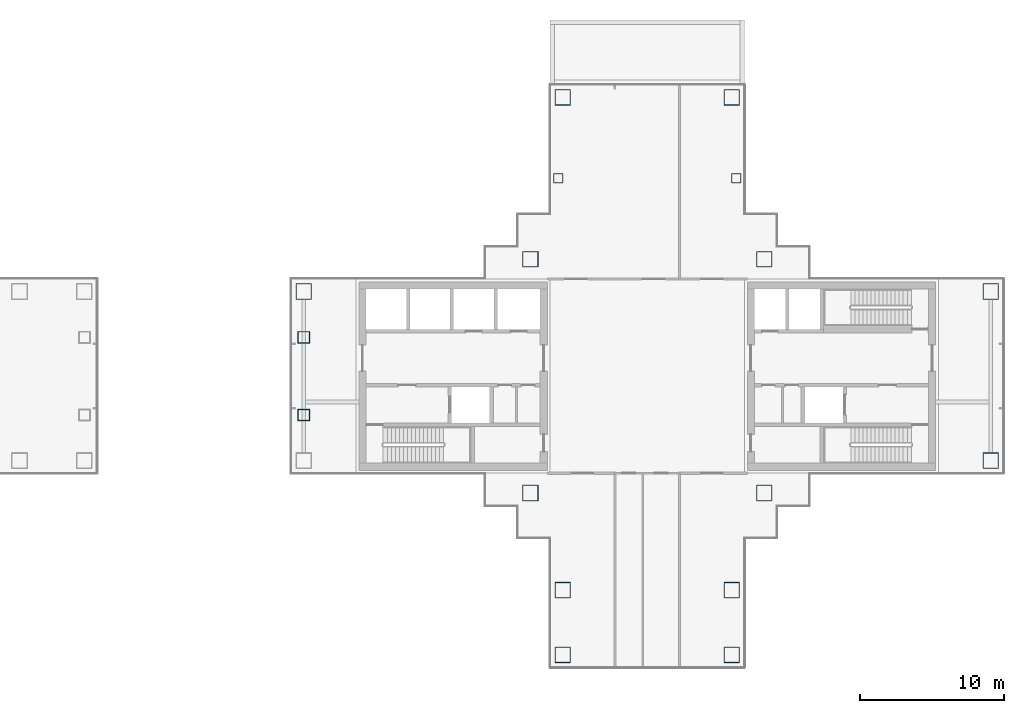
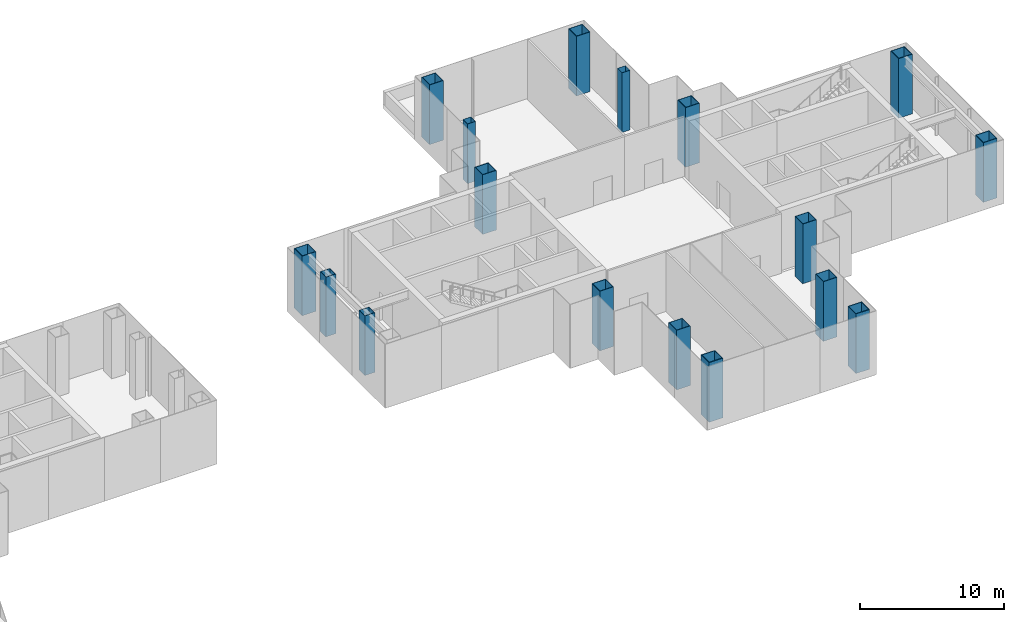
# One storey, part 2 of 15: 17 columns.
"""IFC4 building model written with IfcOpenShell, lengths in metres."""

from ifc_helpers import new_model, si_unit, direction, frame, origin, origin_2d, place, context, subcontext, project, spatial, hollow_rectangle, extrude, material, material_profile, profile_set, type_object, element, save


model = new_model("IFC4")

# Units and contexts
model_context = context("Model", 3, precision=1e-05, world=origin(), true_north=direction((0.0, 1.0)))
body_context = subcontext(model_context, "Body", "Model", "MODEL_VIEW")
ifc_project = project(units=[si_unit("LENGTHUNIT", "METRE"), si_unit("AREAUNIT", "SQUARE_METRE"), si_unit("VOLUMEUNIT", "CUBIC_METRE"), si_unit("PLANEANGLEUNIT", "RADIAN"), si_unit("MASSUNIT", "GRAM", prefix="KILO")], contexts=[model_context])

# Site, building, storey
site_placement = place(None, origin())
site = spatial("IfcSite", under=ifc_project, at=site_placement, CompositionType="ELEMENT")
building_placement = place(site_placement, origin())
building = spatial("IfcBuilding", under=site, at=building_placement, Name="Shamsa Quay Exchange Towers", CompositionType="ELEMENT")
storey_placement = place(building_placement, frame((0.0, 0.0, 133.5)))
storey = spatial("IfcBuildingStorey", under=building, at=storey_placement, Name="L31", CompositionType="ELEMENT", Elevation=133.5)

# Columns
ifc_material_1 = material(Name="Concrete-filled steel tube S355 / C80/95", Category="concrete")
ifc_material_profile_1 = material_profile(ifc_material_1, hollow_rectangle(XDim=1.10009765625, YDim=1.10009765625, WallThickness=0.0400390625, at=origin_2d()), Name="CFT 1100x1100x40")
ifc_profile_set_1 = profile_set([ifc_material_profile_1], Name="Concrete-filled steel tube S355 / C80/95")
column_type_1 = type_object("IfcColumnType", Name="Column CFT 1100x1100x40", PredefinedType="COLUMN", material=ifc_profile_set_1)
for number, where, name in (
    (1, (25.625, 8.125, 0.0), "Mega column T2-CM01"),
    (2, (41.875, 8.125, 0.0), "Mega column T2-CM02"),
    (3, (25.625, -8.125, 0.0), "Mega column T2-CM03"),
    (4, (41.875, -8.125, 0.0), "Mega column T2-CM04"),
    (5, (39.625, 19.375, 0.0), "Mega column T2-CM06"),
    (6, (27.875, 19.375, 0.0), "Mega column T2-CM10"),
    (7, (39.625, -14.875, 0.0), "Mega column T2-CM13"),
    (8, (39.625, -19.375, 0.0), "Mega column T2-CM14"),
    (9, (27.875, -14.875, 0.0), "Mega column T2-CM16"),
    (10, (27.875, -19.375, 0.0), "Mega column T2-CM17"),
    (11, (9.875, 5.875, 0.0), "Mega column T2-CM20"),
    (12, (57.625, -5.875, 0.0), "Mega column T2-CM21"),
    (13, (57.625, 5.875, 0.0), "Mega column T2-CM23"),
):
    element("IfcColumn", number, at=place(storey_placement, frame(where)), inside=storey, type_object=column_type_1, Name=name, PredefinedType="COLUMN", context=body_context, shape_type="SweptSolid", body=[
        extrude(hollow_rectangle(XDim=1.10009765625, YDim=1.10009765625, WallThickness=0.0400390625, at=origin_2d()), origin(), (0.0, 0.0, 1.0), 5.050048828125),
    ])
ifc_material_2 = material(Name="Concrete-filled steel tube S355 / C60/75", Category="concrete")
ifc_material_profile_2 = material_profile(ifc_material_2, hollow_rectangle(XDim=0.64990234375, YDim=0.64990234375, WallThickness=0.02001953125, at=origin_2d()), Name="CFT 650x650x20")
ifc_profile_set_2 = profile_set([ifc_material_profile_2], Name="Concrete-filled steel tube S355 / C60/75")
column_type_2 = type_object("IfcColumnType", Name="Column CFT 650x650x20", PredefinedType="COLUMN", material=ifc_profile_set_2)
for number, where, name in (
    (14, (39.9375, 13.75, 0.0), "Perimeter column T2-CP05"),
    (15, (27.5625, 13.75, 0.0), "Perimeter column T2-CP09"),
):
    element("IfcColumn", number, at=place(storey_placement, frame(where)), inside=storey, type_object=column_type_2, Name=name, PredefinedType="COLUMN", context=body_context, shape_type="SweptSolid", body=[
        extrude(hollow_rectangle(XDim=0.64990234375, YDim=0.64990234375, WallThickness=0.02001953125, at=origin_2d()), origin(), (0.0, 0.0, 1.0), 5.050048828125),
    ])
ifc_material_3 = material(Name="Concrete-filled steel tube S355 / C70/85", Category="concrete")
ifc_material_profile_3 = material_profile(ifc_material_3, hollow_rectangle(XDim=0.800048828125, YDim=0.800048828125, WallThickness=0.030029296875, at=origin_2d()), Name="CFT 800x800x30")
ifc_profile_set_3 = profile_set([ifc_material_profile_3], Name="Concrete-filled steel tube S355 / C70/85")
column_type_3 = type_object("IfcColumnType", Name="Landing column CFT 800x800x30", PredefinedType="COLUMN", material=ifc_profile_set_3)
for number, where, name in (
    (16, (9.875, -2.699951171875, 0.0), "Landing column T2 S"),
    (17, (9.875, 2.699951171875, 0.0), "Landing column T2 N"),
):
    element("IfcColumn", number, at=place(storey_placement, frame(where)), inside=storey, type_object=column_type_3, Name=name, PredefinedType="COLUMN", context=body_context, shape_type="SweptSolid", body=[
        extrude(hollow_rectangle(XDim=0.800048828125, YDim=0.800048828125, WallThickness=0.030029296875, at=origin_2d()), origin(), (0.0, 0.0, 1.0), 5.050048828125),
    ])

save(model, "model.ifc")
